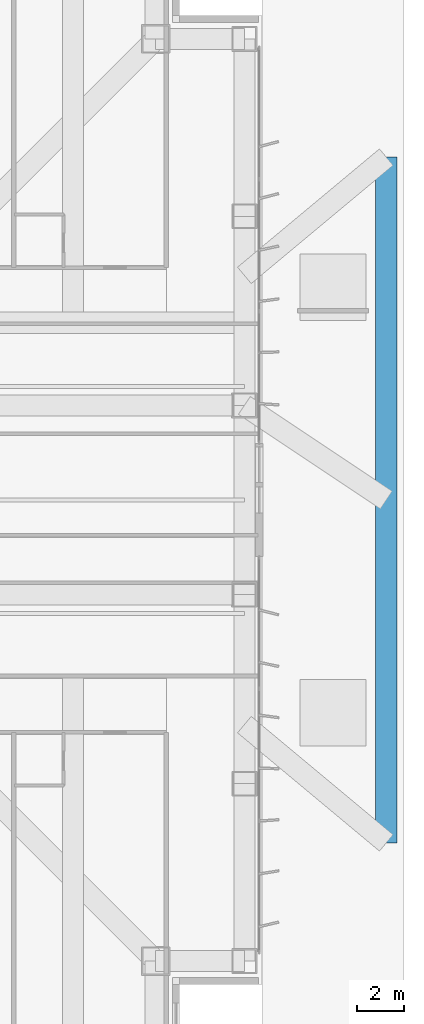
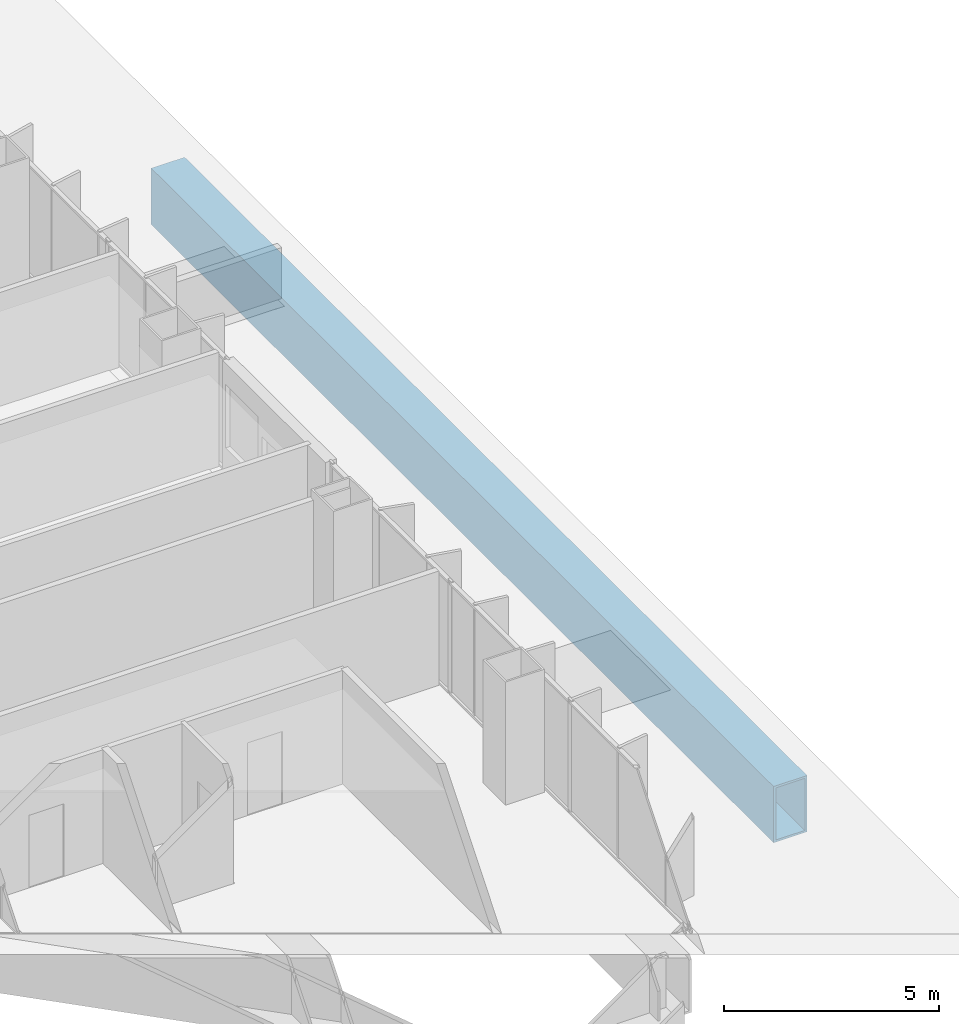
# One storey, part 9 of 24: 1 beam.
"""IFC4 building model written with IfcOpenShell, lengths in metres."""

from ifc_helpers import new_model, si_unit, direction, frame, origin, origin_2d, place, context, subcontext, project, spatial, hollow_rectangle, extrude, material, material_profile, profile_set, type_object, element, save


model = new_model("IFC4")

# Units and contexts
model_context = context("Model", 3, precision=1e-05, world=origin(), true_north=direction((0.0, 1.0)))
body_context = subcontext(model_context, "Body", "Model", "MODEL_VIEW")
ifc_project = project(units=[si_unit("LENGTHUNIT", "METRE"), si_unit("AREAUNIT", "SQUARE_METRE"), si_unit("VOLUMEUNIT", "CUBIC_METRE"), si_unit("PLANEANGLEUNIT", "RADIAN"), si_unit("MASSUNIT", "GRAM", prefix="KILO")], contexts=[model_context])

# Site, building, storey
site_placement = place(None, origin())
site = spatial("IfcSite", under=ifc_project, at=site_placement, CompositionType="ELEMENT")
building_placement = place(site_placement, origin())
building = spatial("IfcBuilding", under=site, at=building_placement, Name="Trevonay Congress Spire", CompositionType="ELEMENT")
storey_placement = place(building_placement, frame((0.0, 0.0, 27.0)))
storey = spatial("IfcBuildingStorey", under=building, at=storey_placement, Name="L05", CompositionType="ELEMENT", Elevation=27.0)

# Beam
ifc_material = material(Name="Steel ASTM A572 Grade 50", Category="steel")
ifc_material_profile = material_profile(ifc_material, hollow_rectangle(XDim=0.89990234375, YDim=1.60009765625, WallThickness=0.06005859375, at=origin_2d()), Name="BOX 1600x900x60")
ifc_profile_set = profile_set([ifc_material_profile], Name="Steel ASTM A572 Grade 50")
beam_type = type_object("IfcBeamType", Name="BM-XFER-BOX1600", PredefinedType="BEAM", material=ifc_profile_set)
beam_placement = place(storey_placement, frame((29.25, -14.5, -1.199951171875), z_axis=(0.0, 1.0, 0.0), x_axis=(-1.0, 0.0, 0.0)))
element("IfcBeam", 1, at=beam_placement, inside=storey, type_object=beam_type, Name="L05 structural beam BM-L05T-EL", PredefinedType="BEAM", context=body_context, shape_type="SweptSolid", body=[
    extrude(hollow_rectangle(XDim=0.89990234375, YDim=1.60009765625, WallThickness=0.06005859375, at=origin_2d()), origin(), (0.0, 0.0, 1.0), 29.0),
])

save(model, "model.ifc")
